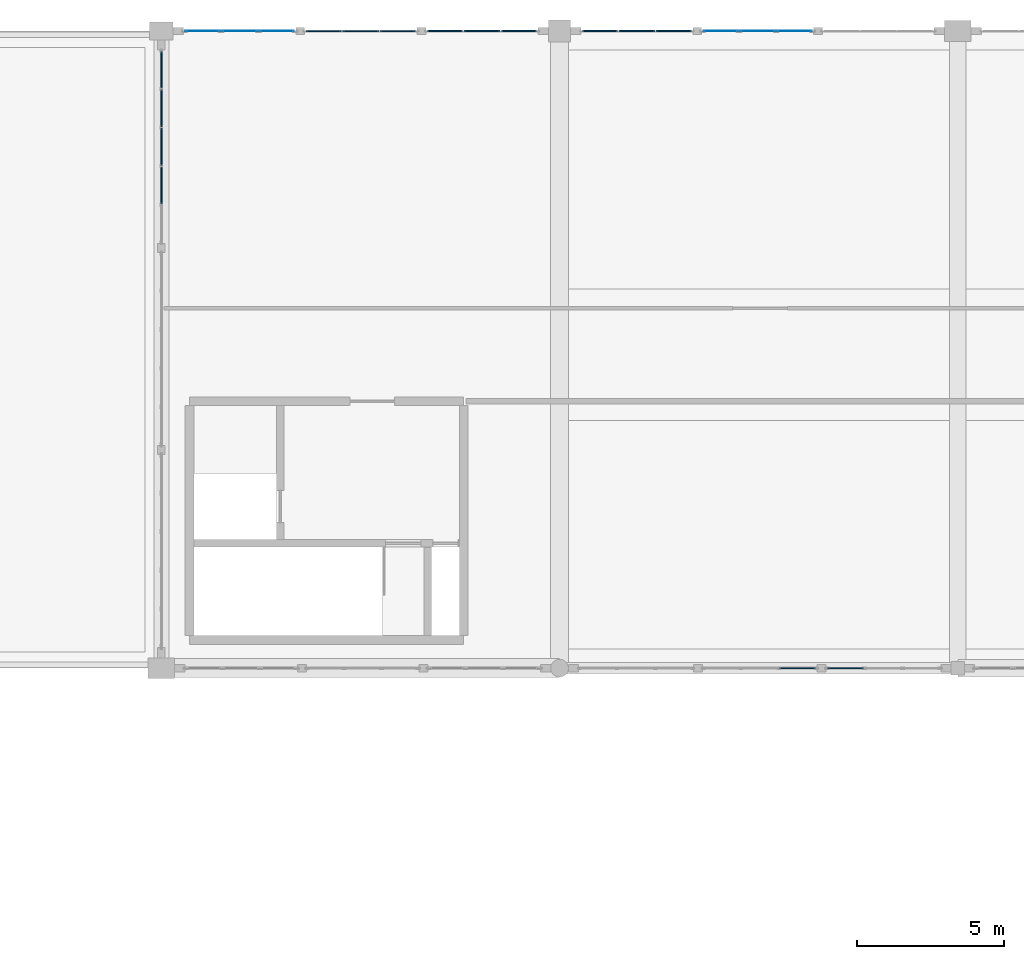
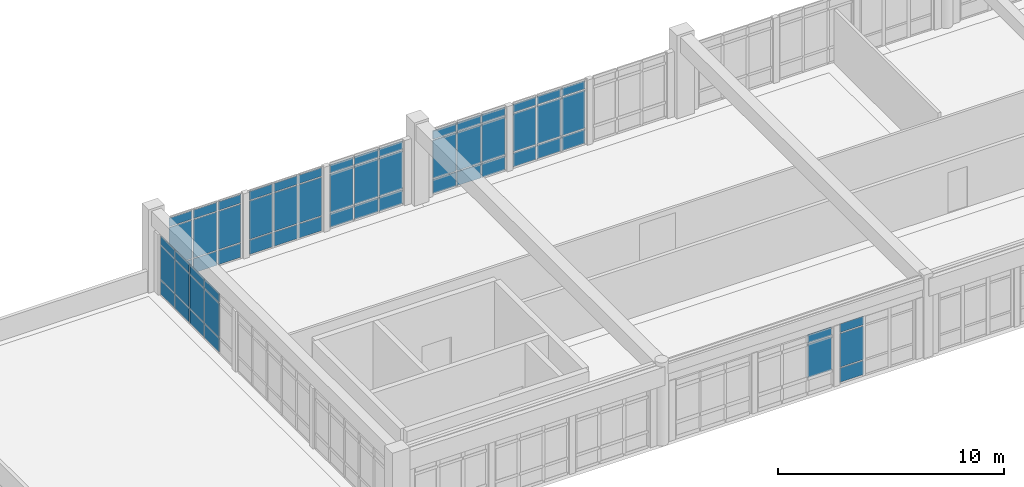
# One storey, part 77 of 109: 62 plates, 8 elements without a shape of their own.
"""IFC4 building model written with IfcOpenShell, lengths in metres."""

from ifc_helpers import new_model, si_unit, direction, frame, origin, origin_2d, place, context, subcontext, project, spatial, rectangle, extrude, material, layer, layer_set, type_object, element, aggregate, save


model = new_model("IFC4")

# Units and contexts
model_context = context("Model", 3, precision=1e-05, world=origin(), true_north=direction((0.0, 1.0)))
body_context = subcontext(model_context, "Body", "Model", "MODEL_VIEW")
ifc_project = project(units=[si_unit("LENGTHUNIT", "METRE"), si_unit("AREAUNIT", "SQUARE_METRE"), si_unit("VOLUMEUNIT", "CUBIC_METRE"), si_unit("PLANEANGLEUNIT", "RADIAN"), si_unit("MASSUNIT", "GRAM", prefix="KILO")], contexts=[model_context])

# Site, building, storey
site_placement = place(None, origin())
site = spatial("IfcSite", under=ifc_project, at=site_placement, CompositionType="ELEMENT")
building_placement = place(site_placement, origin())
building = spatial("IfcBuilding", under=site, at=building_placement, Name="Fikremerkos Civic Library", CompositionType="ELEMENT")
storey_placement = place(building_placement, frame((0.0, 0.0, 5.39990234375)))
storey = spatial("IfcBuildingStorey", under=building, at=storey_placement, Name="L01", CompositionType="ELEMENT", Elevation=5.39990234375)

# Curtain wall, plates
ifc_material_1 = material(Name="Anodized aluminium Frame", Category="aluminium")
ifc_layer_1 = layer(ifc_material_1, 0.159912109375, Name="Anodized aluminium Frame")
ifc_layer_set_1 = layer_set([ifc_layer_1], Name="Anodized aluminium Frame")
curtain_wall_type_1 = type_object("IfcCurtainWallType", Name="Unitised curtain wall CW-05 3800x4100", PredefinedType="USERDEFINED", material=ifc_layer_set_1)
curtain_wall_1_placement = place(storey_placement, origin())
curtain_wall_1 = element("IfcCurtainWall", 1, at=curtain_wall_1_placement, inside=storey, type_object=curtain_wall_type_1, Name="Unitised curtain wall CW-05 L01 #131", ObjectType="UNITISED CURTAIN WALL", PredefinedType="USERDEFINED")
ifc_material_2 = material(Name="Solar control double glazing", Category="glass")
ifc_layer_2 = layer(ifc_material_2, 0.028076171875, Name="Solar control double glazing")
ifc_layer_set_2 = layer_set([ifc_layer_2], Name="Solar control double glazing")
plate_type_1 = type_object("IfcPlateType", Name="Curtain glazing panel CWP-01 28", PredefinedType="CURTAIN_PANEL", material=ifc_layer_set_2)
plate_1_placement = place(storey_placement, frame((74.59912109375, 117.60009765625, 0.06005859375), z_axis=(0.0, 0.0, 1.0), x_axis=(1.0, 0.0, 0.0)))
plate_1 = element("IfcPlate", 2, at=plate_1_placement, type_object=plate_type_1, Name="CW-05 panel 1.1", PredefinedType="CURTAIN_PANEL", context=body_context, shape_type="SweptSolid", body=[
    extrude(rectangle(XDim=1.17236328125, YDim=0.028076171875, at=origin_2d()), origin(), (0.0, 0.0, 1.0), 0.760009765625),
])
plate_2_placement = place(storey_placement, frame((74.59912109375, 117.60009765625, 0.880126953125), z_axis=(0.0, 0.0, 1.0), x_axis=(1.0, 0.0, 0.0)))
plate_2 = element("IfcPlate", 3, at=plate_2_placement, type_object=plate_type_1, Name="CW-05 panel 1.2", PredefinedType="CURTAIN_PANEL", context=body_context, shape_type="SweptSolid", body=[
    extrude(rectangle(XDim=1.17236328125, YDim=0.028076171875, at=origin_2d()), origin(), (0.0, 0.0, 1.0), 2.05712890625),
])
plate_3_placement = place(storey_placement, frame((74.59912109375, 117.60009765625, 2.997314453125), z_axis=(0.0, 0.0, 1.0), x_axis=(1.0, 0.0, 0.0)))
plate_3 = element("IfcPlate", 4, at=plate_3_placement, type_object=plate_type_1, Name="CW-05 panel 1.3", PredefinedType="CURTAIN_PANEL", context=body_context, shape_type="SweptSolid", body=[
    extrude(rectangle(XDim=1.17236328125, YDim=0.028076171875, at=origin_2d()), origin(), (0.0, 0.0, 1.0), 0.4599609375),
])
plate_4_placement = place(storey_placement, frame((75.852783203125, 117.60009765625, 0.06005859375), z_axis=(0.0, 0.0, 1.0), x_axis=(1.0, 0.0, 0.0)))
plate_4 = element("IfcPlate", 5, at=plate_4_placement, type_object=plate_type_1, Name="CW-05 panel 2.1", PredefinedType="CURTAIN_PANEL", context=body_context, shape_type="SweptSolid", body=[
    extrude(rectangle(XDim=1.204833984375, YDim=0.028076171875, at=origin_2d()), origin(), (0.0, 0.0, 1.0), 0.760009765625),
])
plate_5_placement = place(storey_placement, frame((75.852783203125, 117.60009765625, 0.880126953125), z_axis=(0.0, 0.0, 1.0), x_axis=(1.0, 0.0, 0.0)))
plate_5 = element("IfcPlate", 6, at=plate_5_placement, type_object=plate_type_1, Name="CW-05 panel 2.2", PredefinedType="CURTAIN_PANEL", context=body_context, shape_type="SweptSolid", body=[
    extrude(rectangle(XDim=1.204833984375, YDim=0.028076171875, at=origin_2d()), origin(), (0.0, 0.0, 1.0), 2.05712890625),
])
plate_6_placement = place(storey_placement, frame((75.852783203125, 117.60009765625, 2.997314453125), z_axis=(0.0, 0.0, 1.0), x_axis=(1.0, 0.0, 0.0)))
plate_6 = element("IfcPlate", 7, at=plate_6_placement, type_object=plate_type_1, Name="CW-05 panel 2.3", PredefinedType="CURTAIN_PANEL", context=body_context, shape_type="SweptSolid", body=[
    extrude(rectangle(XDim=1.204833984375, YDim=0.028076171875, at=origin_2d()), origin(), (0.0, 0.0, 1.0), 0.4599609375),
])
plate_7_placement = place(storey_placement, frame((77.1064453125, 117.60009765625, 0.06005859375), z_axis=(0.0, 0.0, 1.0), x_axis=(1.0, 0.0, 0.0)))
plate_7 = element("IfcPlate", 8, at=plate_7_placement, type_object=plate_type_1, Name="CW-05 panel 3.1", PredefinedType="CURTAIN_PANEL", context=body_context, shape_type="SweptSolid", body=[
    extrude(rectangle(XDim=1.17236328125, YDim=0.028076171875, at=origin_2d()), origin(), (0.0, 0.0, 1.0), 0.760009765625),
])
plate_8_placement = place(storey_placement, frame((77.1064453125, 117.60009765625, 0.880126953125), z_axis=(0.0, 0.0, 1.0), x_axis=(1.0, 0.0, 0.0)))
plate_8 = element("IfcPlate", 9, at=plate_8_placement, type_object=plate_type_1, Name="CW-05 panel 3.2", PredefinedType="CURTAIN_PANEL", context=body_context, shape_type="SweptSolid", body=[
    extrude(rectangle(XDim=1.17236328125, YDim=0.028076171875, at=origin_2d()), origin(), (0.0, 0.0, 1.0), 2.05712890625),
])
plate_9_placement = place(storey_placement, frame((77.1064453125, 117.60009765625, 2.997314453125), z_axis=(0.0, 0.0, 1.0), x_axis=(1.0, 0.0, 0.0)))
plate_9 = element("IfcPlate", 10, at=plate_9_placement, type_object=plate_type_1, Name="CW-05 panel 3.3", PredefinedType="CURTAIN_PANEL", context=body_context, shape_type="SweptSolid", body=[
    extrude(rectangle(XDim=1.17236328125, YDim=0.028076171875, at=origin_2d()), origin(), (0.0, 0.0, 1.0), 0.4599609375),
])
aggregate(curtain_wall_1, [plate_1, plate_2, plate_3, plate_4, plate_5, plate_6, plate_7, plate_8, plate_9])

ifc_layer_3 = layer(ifc_material_1, 0.159912109375, Name="Anodized aluminium Frame")
ifc_layer_set_3 = layer_set([ifc_layer_3], Name="Anodized aluminium Frame")
curtain_wall_type_2 = type_object("IfcCurtainWallType", Name="Unitised curtain wall CW-09 3600x3400", PredefinedType="USERDEFINED", material=ifc_layer_set_3)
curtain_wall_2_placement = place(storey_placement, origin())
curtain_wall_2 = element("IfcCurtainWall", 11, at=curtain_wall_2_placement, inside=storey, type_object=curtain_wall_type_2, Name="Unitised curtain wall CW-09 L01 #135", ObjectType="UNITISED CURTAIN WALL", PredefinedType="USERDEFINED")
plate_10_placement = place(storey_placement, frame((92.164306640625, 117.60009765625, 0.070068359375), z_axis=(0.0, 0.0, 1.0), x_axis=(1.0, 0.0, 0.0)))
plate_10 = element("IfcPlate", 12, at=plate_10_placement, type_object=plate_type_1, Name="CW-09 panel 1.1", PredefinedType="CURTAIN_PANEL", context=body_context, shape_type="SweptSolid", body=[
    extrude(rectangle(XDim=1.166748046875, YDim=0.028076171875, at=origin_2d()), origin(), (0.0, 0.0, 1.0), 0.7451171875),
])
plate_11_placement = place(storey_placement, frame((92.164306640625, 117.60009765625, 0.88525390625), z_axis=(0.0, 0.0, 1.0), x_axis=(1.0, 0.0, 0.0)))
plate_11 = element("IfcPlate", 13, at=plate_11_placement, type_object=plate_type_1, Name="CW-09 panel 1.2", PredefinedType="CURTAIN_PANEL", context=body_context, shape_type="SweptSolid", body=[
    extrude(rectangle(XDim=1.166748046875, YDim=0.028076171875, at=origin_2d()), origin(), (0.0, 0.0, 1.0), 2.047119140625),
])
plate_12_placement = place(storey_placement, frame((92.164306640625, 117.60009765625, 3.00244140625), z_axis=(0.0, 0.0, 1.0), x_axis=(1.0, 0.0, 0.0)))
plate_12 = element("IfcPlate", 14, at=plate_12_placement, type_object=plate_type_1, Name="CW-09 panel 1.3", PredefinedType="CURTAIN_PANEL", context=body_context, shape_type="SweptSolid", body=[
    extrude(rectangle(XDim=1.166748046875, YDim=0.028076171875, at=origin_2d()), origin(), (0.0, 0.0, 1.0), 0.445068359375),
])
plate_13_placement = place(storey_placement, frame((93.41259765625, 117.60009765625, 0.070068359375), z_axis=(0.0, 0.0, 1.0), x_axis=(1.0, 0.0, 0.0)))
plate_13 = element("IfcPlate", 15, at=plate_13_placement, type_object=plate_type_1, Name="CW-09 panel 2.1", PredefinedType="CURTAIN_PANEL", context=body_context, shape_type="SweptSolid", body=[
    extrude(rectangle(XDim=1.19921875, YDim=0.028076171875, at=origin_2d()), origin(), (0.0, 0.0, 1.0), 0.7451171875),
])
plate_14_placement = place(storey_placement, frame((93.41259765625, 117.60009765625, 0.88525390625), z_axis=(0.0, 0.0, 1.0), x_axis=(1.0, 0.0, 0.0)))
plate_14 = element("IfcPlate", 16, at=plate_14_placement, type_object=plate_type_1, Name="CW-09 panel 2.2", PredefinedType="CURTAIN_PANEL", context=body_context, shape_type="SweptSolid", body=[
    extrude(rectangle(XDim=1.19921875, YDim=0.028076171875, at=origin_2d()), origin(), (0.0, 0.0, 1.0), 2.047119140625),
])
plate_15_placement = place(storey_placement, frame((93.41259765625, 117.60009765625, 3.00244140625), z_axis=(0.0, 0.0, 1.0), x_axis=(1.0, 0.0, 0.0)))
plate_15 = element("IfcPlate", 17, at=plate_15_placement, type_object=plate_type_1, Name="CW-09 panel 2.3", PredefinedType="CURTAIN_PANEL", context=body_context, shape_type="SweptSolid", body=[
    extrude(rectangle(XDim=1.19921875, YDim=0.028076171875, at=origin_2d()), origin(), (0.0, 0.0, 1.0), 0.445068359375),
])
plate_16_placement = place(storey_placement, frame((94.66064453125, 117.60009765625, 0.070068359375), z_axis=(0.0, 0.0, 1.0), x_axis=(1.0, 0.0, 0.0)))
plate_16 = element("IfcPlate", 18, at=plate_16_placement, type_object=plate_type_1, Name="CW-09 panel 3.1", PredefinedType="CURTAIN_PANEL", context=body_context, shape_type="SweptSolid", body=[
    extrude(rectangle(XDim=1.166748046875, YDim=0.028076171875, at=origin_2d()), origin(), (0.0, 0.0, 1.0), 0.7451171875),
])
plate_17_placement = place(storey_placement, frame((94.66064453125, 117.60009765625, 0.88525390625), z_axis=(0.0, 0.0, 1.0), x_axis=(1.0, 0.0, 0.0)))
plate_17 = element("IfcPlate", 19, at=plate_17_placement, type_object=plate_type_1, Name="CW-09 panel 3.2", PredefinedType="CURTAIN_PANEL", context=body_context, shape_type="SweptSolid", body=[
    extrude(rectangle(XDim=1.166748046875, YDim=0.028076171875, at=origin_2d()), origin(), (0.0, 0.0, 1.0), 2.047119140625),
])
plate_18_placement = place(storey_placement, frame((94.66064453125, 117.60009765625, 3.00244140625), z_axis=(0.0, 0.0, 1.0), x_axis=(1.0, 0.0, 0.0)))
plate_18 = element("IfcPlate", 20, at=plate_18_placement, type_object=plate_type_1, Name="CW-09 panel 3.3", PredefinedType="CURTAIN_PANEL", context=body_context, shape_type="SweptSolid", body=[
    extrude(rectangle(XDim=1.166748046875, YDim=0.028076171875, at=origin_2d()), origin(), (0.0, 0.0, 1.0), 0.445068359375),
])
aggregate(curtain_wall_2, [plate_10, plate_11, plate_12, plate_13, plate_14, plate_15, plate_16, plate_17, plate_18])

ifc_layer_4 = layer(ifc_material_1, 0.159912109375, Name="Anodized aluminium Frame")
ifc_layer_set_4 = layer_set([ifc_layer_4], Name="Anodized aluminium Frame")
curtain_wall_type_3 = type_object("IfcCurtainWallType", Name="Unitised curtain wall CW-14 4100x3200", PredefinedType="USERDEFINED", material=ifc_layer_set_4)
curtain_wall_3_placement = place(storey_placement, origin())
curtain_wall_3 = element("IfcCurtainWall", 21, at=curtain_wall_3_placement, inside=storey, type_object=curtain_wall_type_3, Name="Unitised curtain wall CW-14 L01 #122", ObjectType="UNITISED CURTAIN WALL", PredefinedType="USERDEFINED")
ifc_layer_5 = layer(ifc_material_2, 0.035888671875, Name="Solar control double glazing")
ifc_layer_set_5 = layer_set([ifc_layer_5], Name="Solar control double glazing")
plate_type_2 = type_object("IfcPlateType", Name="Curtain glazing panel CWP-02 36", PredefinedType="CURTAIN_PANEL", material=ifc_layer_set_5)
plate_19_placement = place(storey_placement, frame((96.39794921875, 96.0, 0.06005859375), z_axis=(0.0, 0.0, 1.0), x_axis=(-1.0, 0.0, 0.0)))
plate_19 = element("IfcPlate", 22, at=plate_19_placement, type_object=plate_type_2, Name="CW-14 panel 3.1", PredefinedType="CURTAIN_PANEL", context=body_context, shape_type="SweptSolid", body=[
    extrude(rectangle(XDim=1.207763671875, YDim=0.035888671875, at=origin_2d()), origin(), (0.0, 0.0, 1.0), 0.760009765625),
])
plate_20_placement = place(storey_placement, frame((96.39794921875, 96.0, 0.880126953125), z_axis=(0.0, 0.0, 1.0), x_axis=(-1.0, 0.0, 0.0)))
plate_20 = element("IfcPlate", 23, at=plate_20_placement, type_object=plate_type_2, Name="CW-14 panel 3.2", PredefinedType="CURTAIN_PANEL", context=body_context, shape_type="SweptSolid", body=[
    extrude(rectangle(XDim=1.207763671875, YDim=0.035888671875, at=origin_2d()), origin(), (0.0, 0.0, 1.0), 1.81005859375),
])
plate_21_placement = place(storey_placement, frame((96.39794921875, 96.0, 2.75), z_axis=(0.0, 0.0, 1.0), x_axis=(-1.0, 0.0, 0.0)))
plate_21 = element("IfcPlate", 24, at=plate_21_placement, type_object=plate_type_2, Name="CW-14 panel 3.3", PredefinedType="CURTAIN_PANEL", context=body_context, shape_type="SweptSolid", body=[
    extrude(rectangle(XDim=1.207763671875, YDim=0.035888671875, at=origin_2d()), origin(), (0.0, 0.0, 1.0), 0.4599609375),
])
aggregate(curtain_wall_3, [plate_19, plate_20, plate_21])

ifc_layer_6 = layer(ifc_material_1, 0.159912109375, Name="Anodized aluminium Frame")
ifc_layer_set_6 = layer_set([ifc_layer_6], Name="Anodized aluminium Frame")
curtain_wall_type_4 = type_object("IfcCurtainWallType", Name="Unitised curtain wall CW-06 4200x4100", PredefinedType="USERDEFINED", material=ifc_layer_set_6)
curtain_wall_4_placement = place(storey_placement, origin())
curtain_wall_4 = element("IfcCurtainWall", 25, at=curtain_wall_4_placement, inside=storey, type_object=curtain_wall_type_4, Name="Unitised curtain wall CW-06 L01 #132", ObjectType="UNITISED CURTAIN WALL", PredefinedType="USERDEFINED")
plate_22_placement = place(storey_placement, frame((78.70751953125, 117.60009765625, 0.06005859375), z_axis=(0.0, 0.0, 1.0), x_axis=(1.0, 0.0, 0.0)))
plate_22 = element("IfcPlate", 26, at=plate_22_placement, type_object=plate_type_2, Name="CW-06 panel 1.1", PredefinedType="CURTAIN_PANEL", context=body_context, shape_type="SweptSolid", body=[
    extrude(rectangle(XDim=1.179931640625, YDim=0.035888671875, at=origin_2d()), origin(), (0.0, 0.0, 1.0), 0.760009765625),
])
plate_23_placement = place(storey_placement, frame((78.70751953125, 117.60009765625, 0.880126953125), z_axis=(0.0, 0.0, 1.0), x_axis=(1.0, 0.0, 0.0)))
plate_23 = element("IfcPlate", 27, at=plate_23_placement, type_object=plate_type_2, Name="CW-06 panel 1.2", PredefinedType="CURTAIN_PANEL", context=body_context, shape_type="SweptSolid", body=[
    extrude(rectangle(XDim=1.179931640625, YDim=0.035888671875, at=origin_2d()), origin(), (0.0, 0.0, 1.0), 2.05712890625),
])
plate_24_placement = place(storey_placement, frame((78.70751953125, 117.60009765625, 2.997314453125), z_axis=(0.0, 0.0, 1.0), x_axis=(1.0, 0.0, 0.0)))
plate_24 = element("IfcPlate", 28, at=plate_24_placement, type_object=plate_type_2, Name="CW-06 panel 1.3", PredefinedType="CURTAIN_PANEL", context=body_context, shape_type="SweptSolid", body=[
    extrude(rectangle(XDim=1.179931640625, YDim=0.035888671875, at=origin_2d()), origin(), (0.0, 0.0, 1.0), 0.4599609375),
])
plate_25_placement = place(storey_placement, frame((79.96240234375, 117.60009765625, 0.06005859375), z_axis=(0.0, 0.0, 1.0), x_axis=(1.0, 0.0, 0.0)))
plate_25 = element("IfcPlate", 29, at=plate_25_placement, type_object=plate_type_2, Name="CW-06 panel 2.1", PredefinedType="CURTAIN_PANEL", context=body_context, shape_type="SweptSolid", body=[
    extrude(rectangle(XDim=1.2099609375, YDim=0.035888671875, at=origin_2d()), origin(), (0.0, 0.0, 1.0), 0.760009765625),
])
plate_26_placement = place(storey_placement, frame((79.96240234375, 117.60009765625, 0.880126953125), z_axis=(0.0, 0.0, 1.0), x_axis=(1.0, 0.0, 0.0)))
plate_26 = element("IfcPlate", 30, at=plate_26_placement, type_object=plate_type_2, Name="CW-06 panel 2.2", PredefinedType="CURTAIN_PANEL", context=body_context, shape_type="SweptSolid", body=[
    extrude(rectangle(XDim=1.2099609375, YDim=0.035888671875, at=origin_2d()), origin(), (0.0, 0.0, 1.0), 2.05712890625),
])
plate_27_placement = place(storey_placement, frame((79.96240234375, 117.60009765625, 2.997314453125), z_axis=(0.0, 0.0, 1.0), x_axis=(1.0, 0.0, 0.0)))
plate_27 = element("IfcPlate", 31, at=plate_27_placement, type_object=plate_type_2, Name="CW-06 panel 2.3", PredefinedType="CURTAIN_PANEL", context=body_context, shape_type="SweptSolid", body=[
    extrude(rectangle(XDim=1.2099609375, YDim=0.035888671875, at=origin_2d()), origin(), (0.0, 0.0, 1.0), 0.4599609375),
])
plate_28_placement = place(storey_placement, frame((81.21728515625, 117.60009765625, 0.06005859375), z_axis=(0.0, 0.0, 1.0), x_axis=(1.0, 0.0, 0.0)))
plate_28 = element("IfcPlate", 32, at=plate_28_placement, type_object=plate_type_2, Name="CW-06 panel 3.1", PredefinedType="CURTAIN_PANEL", context=body_context, shape_type="SweptSolid", body=[
    extrude(rectangle(XDim=1.179931640625, YDim=0.035888671875, at=origin_2d()), origin(), (0.0, 0.0, 1.0), 0.760009765625),
])
plate_29_placement = place(storey_placement, frame((81.21728515625, 117.60009765625, 0.880126953125), z_axis=(0.0, 0.0, 1.0), x_axis=(1.0, 0.0, 0.0)))
plate_29 = element("IfcPlate", 33, at=plate_29_placement, type_object=plate_type_2, Name="CW-06 panel 3.2", PredefinedType="CURTAIN_PANEL", context=body_context, shape_type="SweptSolid", body=[
    extrude(rectangle(XDim=1.179931640625, YDim=0.035888671875, at=origin_2d()), origin(), (0.0, 0.0, 1.0), 2.05712890625),
])
plate_30_placement = place(storey_placement, frame((81.21728515625, 117.60009765625, 2.997314453125), z_axis=(0.0, 0.0, 1.0), x_axis=(1.0, 0.0, 0.0)))
plate_30 = element("IfcPlate", 34, at=plate_30_placement, type_object=plate_type_2, Name="CW-06 panel 3.3", PredefinedType="CURTAIN_PANEL", context=body_context, shape_type="SweptSolid", body=[
    extrude(rectangle(XDim=1.179931640625, YDim=0.035888671875, at=origin_2d()), origin(), (0.0, 0.0, 1.0), 0.4599609375),
])
aggregate(curtain_wall_4, [plate_22, plate_23, plate_24, plate_25, plate_26, plate_27, plate_28, plate_29, plate_30])

ifc_layer_7 = layer(ifc_material_1, 0.159912109375, Name="Anodized aluminium Frame")
ifc_layer_set_7 = layer_set([ifc_layer_7], Name="Anodized aluminium Frame")
curtain_wall_type_5 = type_object("IfcCurtainWallType", Name="Unitised curtain wall CW-15 2900x3600", PredefinedType="USERDEFINED", material=ifc_layer_set_7)
curtain_wall_5_placement = place(storey_placement, origin())
curtain_wall_5 = element("IfcCurtainWall", 35, at=curtain_wall_5_placement, inside=storey, type_object=curtain_wall_type_5, Name="Unitised curtain wall CW-15 L01 #123", ObjectType="UNITISED CURTAIN WALL", PredefinedType="USERDEFINED")
ifc_material_3 = material(Name="Insulated aluminium spandrel", Category="aluminium")
ifc_layer_8 = layer(ifc_material_3, 0.044921875, Name="Insulated aluminium spandrel")
ifc_layer_set_8 = layer_set([ifc_layer_8], Name="Insulated aluminium spandrel")
plate_type_3 = type_object("IfcPlateType", Name="Curtain spandrel panel CSP-01 45", PredefinedType="CURTAIN_PANEL", material=ifc_layer_set_8)
plate_31_placement = place(storey_placement, frame((94.770263671875, 96.0, 0.88525390625), z_axis=(0.0, 0.0, 1.0), x_axis=(-1.0, 0.0, 0.0)))
plate_31 = element("IfcPlate", 36, at=plate_31_placement, type_object=plate_type_3, Name="CW-15 panel 1.2", PredefinedType="CURTAIN_PANEL", context=body_context, shape_type="SweptSolid", body=[
    extrude(rectangle(XDim=1.207763671875, YDim=0.044921875, at=origin_2d()), origin(), (0.0, 0.0, 1.0), 1.800048828125),
])
plate_32_placement = place(storey_placement, frame((94.770263671875, 96.0, 2.7548828125), z_axis=(0.0, 0.0, 1.0), x_axis=(-1.0, 0.0, 0.0)))
plate_32 = element("IfcPlate", 37, at=plate_32_placement, type_object=plate_type_3, Name="CW-15 panel 1.3", PredefinedType="CURTAIN_PANEL", context=body_context, shape_type="SweptSolid", body=[
    extrude(rectangle(XDim=1.207763671875, YDim=0.044921875, at=origin_2d()), origin(), (0.0, 0.0, 1.0), 0.445068359375),
])
aggregate(curtain_wall_5, [plate_31, plate_32])

ifc_layer_9 = layer(ifc_material_1, 0.159912109375, Name="Anodized aluminium Frame")
ifc_layer_set_9 = layer_set([ifc_layer_9], Name="Anodized aluminium Frame")
curtain_wall_type_6 = type_object("IfcCurtainWallType", Name="Unitised curtain wall CW-07 3500x4100", PredefinedType="USERDEFINED", material=ifc_layer_set_9)
curtain_wall_6_placement = place(storey_placement, origin())
curtain_wall_6 = element("IfcCurtainWall", 38, at=curtain_wall_6_placement, inside=storey, type_object=curtain_wall_type_6, Name="Unitised curtain wall CW-07 L01 #133", ObjectType="UNITISED CURTAIN WALL", PredefinedType="USERDEFINED")
plate_33_placement = place(storey_placement, frame((82.8173828125, 117.60009765625, 0.070068359375), z_axis=(0.0, 0.0, 1.0), x_axis=(1.0, 0.0, 0.0)))
plate_33 = element("IfcPlate", 39, at=plate_33_placement, type_object=plate_type_3, Name="CW-07 panel 1.1", PredefinedType="CURTAIN_PANEL", context=body_context, shape_type="SweptSolid", body=[
    extrude(rectangle(XDim=1.179931640625, YDim=0.044921875, at=origin_2d()), origin(), (0.0, 0.0, 1.0), 0.7451171875),
])
plate_34_placement = place(storey_placement, frame((82.8173828125, 117.60009765625, 0.88525390625), z_axis=(0.0, 0.0, 1.0), x_axis=(1.0, 0.0, 0.0)))
plate_34 = element("IfcPlate", 40, at=plate_34_placement, type_object=plate_type_3, Name="CW-07 panel 1.2", PredefinedType="CURTAIN_PANEL", context=body_context, shape_type="SweptSolid", body=[
    extrude(rectangle(XDim=1.179931640625, YDim=0.044921875, at=origin_2d()), origin(), (0.0, 0.0, 1.0), 2.047119140625),
])
plate_35_placement = place(storey_placement, frame((82.8173828125, 117.60009765625, 3.00244140625), z_axis=(0.0, 0.0, 1.0), x_axis=(1.0, 0.0, 0.0)))
plate_35 = element("IfcPlate", 41, at=plate_35_placement, type_object=plate_type_3, Name="CW-07 panel 1.3", PredefinedType="CURTAIN_PANEL", context=body_context, shape_type="SweptSolid", body=[
    extrude(rectangle(XDim=1.179931640625, YDim=0.044921875, at=origin_2d()), origin(), (0.0, 0.0, 1.0), 0.445068359375),
])
plate_36_placement = place(storey_placement, frame((84.072265625, 117.60009765625, 0.070068359375), z_axis=(0.0, 0.0, 1.0), x_axis=(1.0, 0.0, 0.0)))
plate_36 = element("IfcPlate", 42, at=plate_36_placement, type_object=plate_type_3, Name="CW-07 panel 2.1", PredefinedType="CURTAIN_PANEL", context=body_context, shape_type="SweptSolid", body=[
    extrude(rectangle(XDim=1.2099609375, YDim=0.044921875, at=origin_2d()), origin(), (0.0, 0.0, 1.0), 0.7451171875),
])
plate_37_placement = place(storey_placement, frame((84.072265625, 117.60009765625, 0.88525390625), z_axis=(0.0, 0.0, 1.0), x_axis=(1.0, 0.0, 0.0)))
plate_37 = element("IfcPlate", 43, at=plate_37_placement, type_object=plate_type_3, Name="CW-07 panel 2.2", PredefinedType="CURTAIN_PANEL", context=body_context, shape_type="SweptSolid", body=[
    extrude(rectangle(XDim=1.2099609375, YDim=0.044921875, at=origin_2d()), origin(), (0.0, 0.0, 1.0), 2.047119140625),
])
plate_38_placement = place(storey_placement, frame((84.072265625, 117.60009765625, 3.00244140625), z_axis=(0.0, 0.0, 1.0), x_axis=(1.0, 0.0, 0.0)))
plate_38 = element("IfcPlate", 44, at=plate_38_placement, type_object=plate_type_3, Name="CW-07 panel 2.3", PredefinedType="CURTAIN_PANEL", context=body_context, shape_type="SweptSolid", body=[
    extrude(rectangle(XDim=1.2099609375, YDim=0.044921875, at=origin_2d()), origin(), (0.0, 0.0, 1.0), 0.445068359375),
])
plate_39_placement = place(storey_placement, frame((85.3271484375, 117.60009765625, 0.070068359375), z_axis=(0.0, 0.0, 1.0), x_axis=(1.0, 0.0, 0.0)))
plate_39 = element("IfcPlate", 45, at=plate_39_placement, type_object=plate_type_3, Name="CW-07 panel 3.1", PredefinedType="CURTAIN_PANEL", context=body_context, shape_type="SweptSolid", body=[
    extrude(rectangle(XDim=1.179931640625, YDim=0.044921875, at=origin_2d()), origin(), (0.0, 0.0, 1.0), 0.7451171875),
])
plate_40_placement = place(storey_placement, frame((85.3271484375, 117.60009765625, 0.88525390625), z_axis=(0.0, 0.0, 1.0), x_axis=(1.0, 0.0, 0.0)))
plate_40 = element("IfcPlate", 46, at=plate_40_placement, type_object=plate_type_3, Name="CW-07 panel 3.2", PredefinedType="CURTAIN_PANEL", context=body_context, shape_type="SweptSolid", body=[
    extrude(rectangle(XDim=1.179931640625, YDim=0.044921875, at=origin_2d()), origin(), (0.0, 0.0, 1.0), 2.047119140625),
])
plate_41_placement = place(storey_placement, frame((85.3271484375, 117.60009765625, 3.00244140625), z_axis=(0.0, 0.0, 1.0), x_axis=(1.0, 0.0, 0.0)))
plate_41 = element("IfcPlate", 47, at=plate_41_placement, type_object=plate_type_3, Name="CW-07 panel 3.3", PredefinedType="CURTAIN_PANEL", context=body_context, shape_type="SweptSolid", body=[
    extrude(rectangle(XDim=1.179931640625, YDim=0.044921875, at=origin_2d()), origin(), (0.0, 0.0, 1.0), 0.445068359375),
])
aggregate(curtain_wall_6, [plate_33, plate_34, plate_35, plate_36, plate_37, plate_38, plate_39, plate_40, plate_41])

ifc_layer_10 = layer(ifc_material_1, 0.159912109375, Name="Anodized aluminium Frame")
ifc_layer_set_10 = layer_set([ifc_layer_10], Name="Anodized aluminium Frame")
curtain_wall_type_7 = type_object("IfcCurtainWallType", Name="Unitised curtain wall CW-04 3400x3600", PredefinedType="USERDEFINED", material=ifc_layer_set_10)
curtain_wall_7_placement = place(storey_placement, origin())
curtain_wall_7 = element("IfcCurtainWall", 48, at=curtain_wall_7_placement, inside=storey, type_object=curtain_wall_type_7, Name="Unitised curtain wall CW-04 L01 #130", ObjectType="UNITISED CURTAIN WALL", PredefinedType="USERDEFINED")
ifc_layer_11 = layer(ifc_material_3, 0.054931640625, Name="Insulated aluminium spandrel")
ifc_layer_set_11 = layer_set([ifc_layer_11], Name="Insulated aluminium spandrel")
plate_type_4 = type_object("IfcPlateType", Name="Curtain spandrel panel CSP-02 55", PredefinedType="CURTAIN_PANEL", material=ifc_layer_set_11)
plate_42_placement = place(storey_placement, frame((73.199951171875, 112.365966796875, 0.065185546875), z_axis=(0.0, 0.0, 1.0), x_axis=(0.0, 1.0, 0.0)))
plate_42 = element("IfcPlate", 49, at=plate_42_placement, type_object=plate_type_4, Name="CW-04 panel 2.1", PredefinedType="CURTAIN_PANEL", context=body_context, shape_type="SweptSolid", body=[
    extrude(rectangle(XDim=1.250244140625, YDim=0.054931640625, at=origin_2d()), origin(), (0.0, 0.0, 1.0), 0.75244140625),
])
plate_43_placement = place(storey_placement, frame((73.199951171875, 112.365966796875, 0.8828125), z_axis=(0.0, 0.0, 1.0), x_axis=(0.0, 1.0, 0.0)))
plate_43 = element("IfcPlate", 50, at=plate_43_placement, type_object=plate_type_4, Name="CW-04 panel 2.2", PredefinedType="CURTAIN_PANEL", context=body_context, shape_type="SweptSolid", body=[
    extrude(rectangle(XDim=1.250244140625, YDim=0.054931640625, at=origin_2d()), origin(), (0.0, 0.0, 1.0), 1.804931640625),
])
plate_44_placement = place(storey_placement, frame((73.199951171875, 112.365966796875, 2.75244140625), z_axis=(0.0, 0.0, 1.0), x_axis=(0.0, 1.0, 0.0)))
plate_44 = element("IfcPlate", 51, at=plate_44_placement, type_object=plate_type_4, Name="CW-04 panel 2.3", PredefinedType="CURTAIN_PANEL", context=body_context, shape_type="SweptSolid", body=[
    extrude(rectangle(XDim=1.250244140625, YDim=0.054931640625, at=origin_2d()), origin(), (0.0, 0.0, 1.0), 0.452392578125),
])
plate_45_placement = place(storey_placement, frame((73.199951171875, 113.67626953125, 0.065185546875), z_axis=(0.0, 0.0, 1.0), x_axis=(0.0, 1.0, 0.0)))
plate_45 = element("IfcPlate", 52, at=plate_45_placement, type_object=plate_type_4, Name="CW-04 panel 3.1", PredefinedType="CURTAIN_PANEL", context=body_context, shape_type="SweptSolid", body=[
    extrude(rectangle(XDim=1.250244140625, YDim=0.054931640625, at=origin_2d()), origin(), (0.0, 0.0, 1.0), 0.75244140625),
])
plate_46_placement = place(storey_placement, frame((73.199951171875, 113.67626953125, 0.8828125), z_axis=(0.0, 0.0, 1.0), x_axis=(0.0, 1.0, 0.0)))
plate_46 = element("IfcPlate", 53, at=plate_46_placement, type_object=plate_type_4, Name="CW-04 panel 3.2", PredefinedType="CURTAIN_PANEL", context=body_context, shape_type="SweptSolid", body=[
    extrude(rectangle(XDim=1.250244140625, YDim=0.054931640625, at=origin_2d()), origin(), (0.0, 0.0, 1.0), 1.804931640625),
])
plate_47_placement = place(storey_placement, frame((73.199951171875, 113.67626953125, 2.75244140625), z_axis=(0.0, 0.0, 1.0), x_axis=(0.0, 1.0, 0.0)))
plate_47 = element("IfcPlate", 54, at=plate_47_placement, type_object=plate_type_4, Name="CW-04 panel 3.3", PredefinedType="CURTAIN_PANEL", context=body_context, shape_type="SweptSolid", body=[
    extrude(rectangle(XDim=1.250244140625, YDim=0.054931640625, at=origin_2d()), origin(), (0.0, 0.0, 1.0), 0.452392578125),
])
plate_48_placement = place(storey_placement, frame((73.199951171875, 114.986572265625, 0.065185546875), z_axis=(0.0, 0.0, 1.0), x_axis=(0.0, 1.0, 0.0)))
plate_48 = element("IfcPlate", 55, at=plate_48_placement, type_object=plate_type_4, Name="CW-04 panel 4.1", PredefinedType="CURTAIN_PANEL", context=body_context, shape_type="SweptSolid", body=[
    extrude(rectangle(XDim=1.250244140625, YDim=0.054931640625, at=origin_2d()), origin(), (0.0, 0.0, 1.0), 0.75244140625),
])
plate_49_placement = place(storey_placement, frame((73.199951171875, 114.986572265625, 0.8828125), z_axis=(0.0, 0.0, 1.0), x_axis=(0.0, 1.0, 0.0)))
plate_49 = element("IfcPlate", 56, at=plate_49_placement, type_object=plate_type_4, Name="CW-04 panel 4.2", PredefinedType="CURTAIN_PANEL", context=body_context, shape_type="SweptSolid", body=[
    extrude(rectangle(XDim=1.250244140625, YDim=0.054931640625, at=origin_2d()), origin(), (0.0, 0.0, 1.0), 1.804931640625),
])
plate_50_placement = place(storey_placement, frame((73.199951171875, 114.986572265625, 2.75244140625), z_axis=(0.0, 0.0, 1.0), x_axis=(0.0, 1.0, 0.0)))
plate_50 = element("IfcPlate", 57, at=plate_50_placement, type_object=plate_type_4, Name="CW-04 panel 4.3", PredefinedType="CURTAIN_PANEL", context=body_context, shape_type="SweptSolid", body=[
    extrude(rectangle(XDim=1.250244140625, YDim=0.054931640625, at=origin_2d()), origin(), (0.0, 0.0, 1.0), 0.452392578125),
])
plate_51_placement = place(storey_placement, frame((73.199951171875, 116.281982421875, 0.065185546875), z_axis=(0.0, 0.0, 1.0), x_axis=(0.0, 1.0, 0.0)))
plate_51 = element("IfcPlate", 58, at=plate_51_placement, type_object=plate_type_4, Name="CW-04 panel 5.1", PredefinedType="CURTAIN_PANEL", context=body_context, shape_type="SweptSolid", body=[
    extrude(rectangle(XDim=1.22021484375, YDim=0.054931640625, at=origin_2d()), origin(), (0.0, 0.0, 1.0), 0.75244140625),
])
plate_52_placement = place(storey_placement, frame((73.199951171875, 116.281982421875, 0.8828125), z_axis=(0.0, 0.0, 1.0), x_axis=(0.0, 1.0, 0.0)))
plate_52 = element("IfcPlate", 59, at=plate_52_placement, type_object=plate_type_4, Name="CW-04 panel 5.2", PredefinedType="CURTAIN_PANEL", context=body_context, shape_type="SweptSolid", body=[
    extrude(rectangle(XDim=1.22021484375, YDim=0.054931640625, at=origin_2d()), origin(), (0.0, 0.0, 1.0), 1.804931640625),
])
plate_53_placement = place(storey_placement, frame((73.199951171875, 116.281982421875, 2.75244140625), z_axis=(0.0, 0.0, 1.0), x_axis=(0.0, 1.0, 0.0)))
plate_53 = element("IfcPlate", 60, at=plate_53_placement, type_object=plate_type_4, Name="CW-04 panel 5.3", PredefinedType="CURTAIN_PANEL", context=body_context, shape_type="SweptSolid", body=[
    extrude(rectangle(XDim=1.22021484375, YDim=0.054931640625, at=origin_2d()), origin(), (0.0, 0.0, 1.0), 0.452392578125),
])
aggregate(curtain_wall_7, [plate_42, plate_43, plate_44, plate_45, plate_46, plate_47, plate_48, plate_49, plate_50, plate_51, plate_52, plate_53])

ifc_layer_12 = layer(ifc_material_1, 0.159912109375, Name="Anodized aluminium Frame")
ifc_layer_set_12 = layer_set([ifc_layer_12], Name="Anodized aluminium Frame")
curtain_wall_type_8 = type_object("IfcCurtainWallType", Name="Unitised curtain wall CW-08 4500x4100", PredefinedType="USERDEFINED", material=ifc_layer_set_12)
curtain_wall_8_placement = place(storey_placement, origin())
curtain_wall_8 = element("IfcCurtainWall", 61, at=curtain_wall_8_placement, inside=storey, type_object=curtain_wall_type_8, Name="Unitised curtain wall CW-08 L01 #134", ObjectType="UNITISED CURTAIN WALL", PredefinedType="USERDEFINED")
plate_54_placement = place(storey_placement, frame((88.070068359375, 117.60009765625, 0.070068359375), z_axis=(0.0, 0.0, 1.0), x_axis=(1.0, 0.0, 0.0)))
plate_54 = element("IfcPlate", 62, at=plate_54_placement, type_object=plate_type_4, Name="CW-08 panel 1.1", PredefinedType="CURTAIN_PANEL", context=body_context, shape_type="SweptSolid", body=[
    extrude(rectangle(XDim=1.17431640625, YDim=0.054931640625, at=origin_2d()), origin(), (0.0, 0.0, 1.0), 0.7451171875),
])
plate_55_placement = place(storey_placement, frame((88.070068359375, 117.60009765625, 0.88525390625), z_axis=(0.0, 0.0, 1.0), x_axis=(1.0, 0.0, 0.0)))
plate_55 = element("IfcPlate", 63, at=plate_55_placement, type_object=plate_type_4, Name="CW-08 panel 1.2", PredefinedType="CURTAIN_PANEL", context=body_context, shape_type="SweptSolid", body=[
    extrude(rectangle(XDim=1.17431640625, YDim=0.054931640625, at=origin_2d()), origin(), (0.0, 0.0, 1.0), 2.047119140625),
])
plate_56_placement = place(storey_placement, frame((88.070068359375, 117.60009765625, 3.00244140625), z_axis=(0.0, 0.0, 1.0), x_axis=(1.0, 0.0, 0.0)))
plate_56 = element("IfcPlate", 64, at=plate_56_placement, type_object=plate_type_4, Name="CW-08 panel 1.3", PredefinedType="CURTAIN_PANEL", context=body_context, shape_type="SweptSolid", body=[
    extrude(rectangle(XDim=1.17431640625, YDim=0.054931640625, at=origin_2d()), origin(), (0.0, 0.0, 1.0), 0.445068359375),
])
plate_57_placement = place(storey_placement, frame((89.319580078125, 117.60009765625, 0.070068359375), z_axis=(0.0, 0.0, 1.0), x_axis=(1.0, 0.0, 0.0)))
plate_57 = element("IfcPlate", 65, at=plate_57_placement, type_object=plate_type_4, Name="CW-08 panel 2.1", PredefinedType="CURTAIN_PANEL", context=body_context, shape_type="SweptSolid", body=[
    extrude(rectangle(XDim=1.204345703125, YDim=0.054931640625, at=origin_2d()), origin(), (0.0, 0.0, 1.0), 0.7451171875),
])
plate_58_placement = place(storey_placement, frame((89.319580078125, 117.60009765625, 0.88525390625), z_axis=(0.0, 0.0, 1.0), x_axis=(1.0, 0.0, 0.0)))
plate_58 = element("IfcPlate", 66, at=plate_58_placement, type_object=plate_type_4, Name="CW-08 panel 2.2", PredefinedType="CURTAIN_PANEL", context=body_context, shape_type="SweptSolid", body=[
    extrude(rectangle(XDim=1.204345703125, YDim=0.054931640625, at=origin_2d()), origin(), (0.0, 0.0, 1.0), 2.047119140625),
])
plate_59_placement = place(storey_placement, frame((89.319580078125, 117.60009765625, 3.00244140625), z_axis=(0.0, 0.0, 1.0), x_axis=(1.0, 0.0, 0.0)))
plate_59 = element("IfcPlate", 67, at=plate_59_placement, type_object=plate_type_4, Name="CW-08 panel 2.3", PredefinedType="CURTAIN_PANEL", context=body_context, shape_type="SweptSolid", body=[
    extrude(rectangle(XDim=1.204345703125, YDim=0.054931640625, at=origin_2d()), origin(), (0.0, 0.0, 1.0), 0.445068359375),
])
plate_60_placement = place(storey_placement, frame((90.56884765625, 117.60009765625, 0.070068359375), z_axis=(0.0, 0.0, 1.0), x_axis=(1.0, 0.0, 0.0)))
plate_60 = element("IfcPlate", 68, at=plate_60_placement, type_object=plate_type_4, Name="CW-08 panel 3.1", PredefinedType="CURTAIN_PANEL", context=body_context, shape_type="SweptSolid", body=[
    extrude(rectangle(XDim=1.17431640625, YDim=0.054931640625, at=origin_2d()), origin(), (0.0, 0.0, 1.0), 0.7451171875),
])
plate_61_placement = place(storey_placement, frame((90.56884765625, 117.60009765625, 0.88525390625), z_axis=(0.0, 0.0, 1.0), x_axis=(1.0, 0.0, 0.0)))
plate_61 = element("IfcPlate", 69, at=plate_61_placement, type_object=plate_type_4, Name="CW-08 panel 3.2", PredefinedType="CURTAIN_PANEL", context=body_context, shape_type="SweptSolid", body=[
    extrude(rectangle(XDim=1.17431640625, YDim=0.054931640625, at=origin_2d()), origin(), (0.0, 0.0, 1.0), 2.047119140625),
])
plate_62_placement = place(storey_placement, frame((90.56884765625, 117.60009765625, 3.00244140625), z_axis=(0.0, 0.0, 1.0), x_axis=(1.0, 0.0, 0.0)))
plate_62 = element("IfcPlate", 70, at=plate_62_placement, type_object=plate_type_4, Name="CW-08 panel 3.3", PredefinedType="CURTAIN_PANEL", context=body_context, shape_type="SweptSolid", body=[
    extrude(rectangle(XDim=1.17431640625, YDim=0.054931640625, at=origin_2d()), origin(), (0.0, 0.0, 1.0), 0.445068359375),
])
aggregate(curtain_wall_8, [plate_54, plate_55, plate_56, plate_57, plate_58, plate_59, plate_60, plate_61, plate_62])

save(model, "model.ifc")
